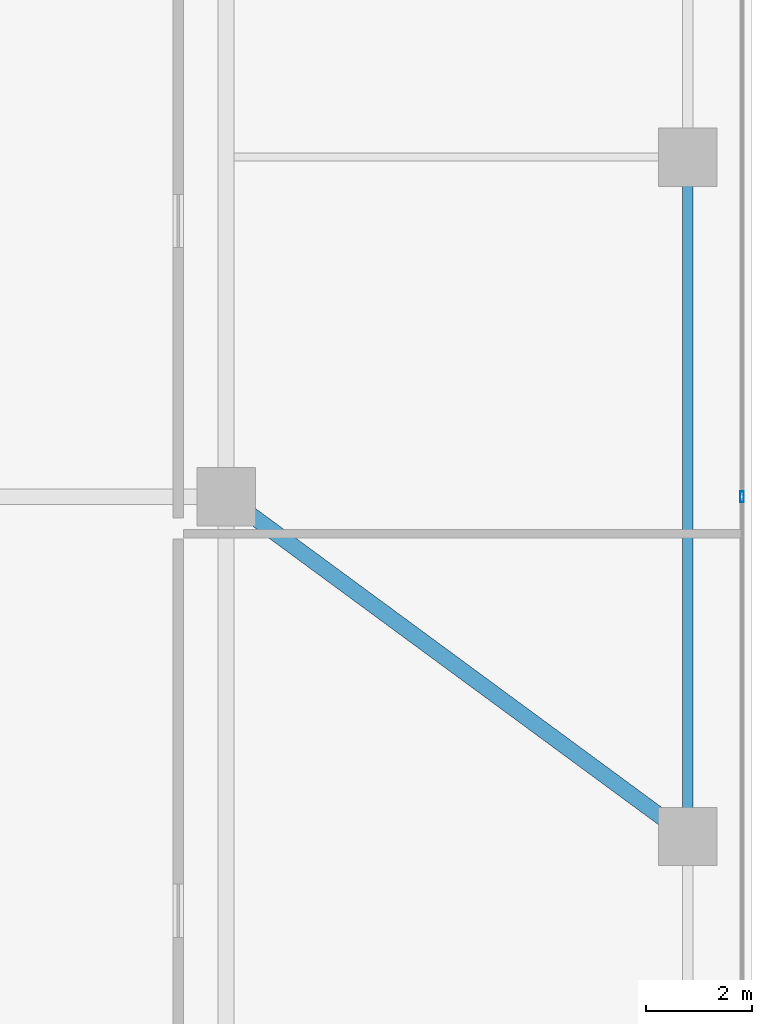
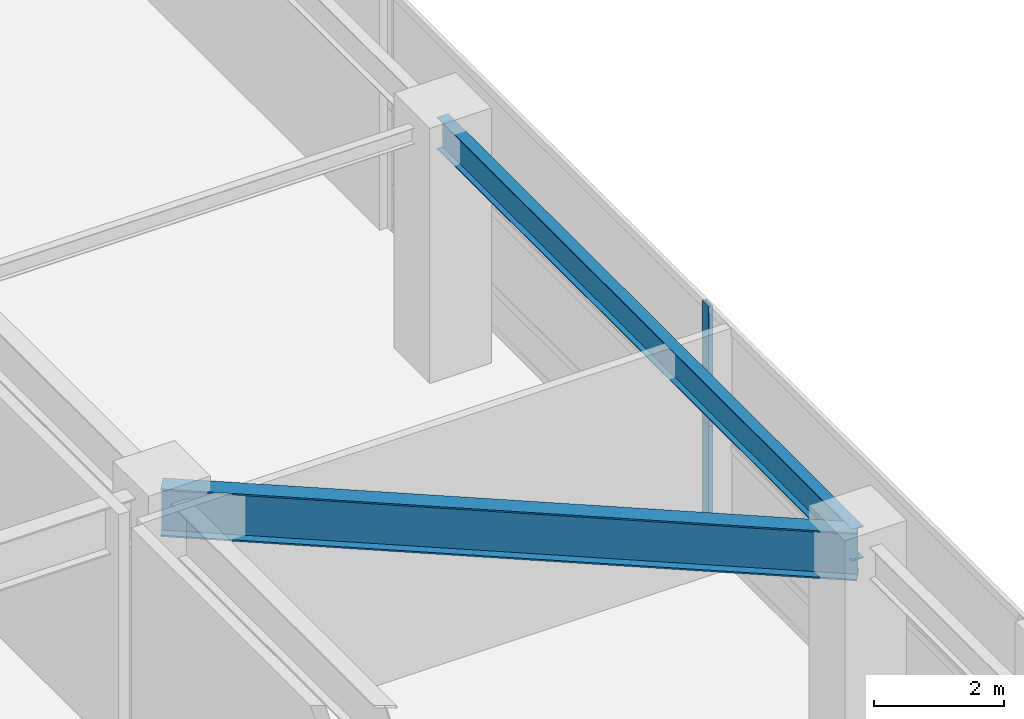
# One storey, part 29 of 39: 2 beams, 2 members, 1 element without a shape of its own.
"""IFC4 building model written with IfcOpenShell, lengths in metres."""

from ifc_helpers import new_model, si_unit, direction, frame, origin, origin_2d, place, context, subcontext, project, spatial, hollow_rectangle, i_section, extrude, source, transform, mapped, material, layer, layer_set, material_profile, profile_set, type_object, element, aggregate, save


model = new_model("IFC4")

# Units and contexts
model_context = context("Model", 3, precision=1e-05, world=origin(), true_north=direction((0.0, 1.0)))
body_context = subcontext(model_context, "Body", "Model", "MODEL_VIEW")
ifc_project = project(units=[si_unit("LENGTHUNIT", "METRE"), si_unit("AREAUNIT", "SQUARE_METRE"), si_unit("VOLUMEUNIT", "CUBIC_METRE"), si_unit("PLANEANGLEUNIT", "RADIAN"), si_unit("MASSUNIT", "GRAM", prefix="KILO"), si_unit("THERMODYNAMICTEMPERATUREUNIT", "KELVIN"), si_unit("POWERUNIT", "WATT")], contexts=[model_context])

# Site, building, storey
site_placement = place(None, origin())
site = spatial("IfcSite", under=ifc_project, at=site_placement, CompositionType="ELEMENT")
building_placement = place(site_placement, origin())
building = spatial("IfcBuilding", under=site, at=building_placement, Name="Yuzanri Waterfront Tower", CompositionType="ELEMENT")
storey_placement = place(building_placement, frame((0.0, 0.0, 15.0)))
storey = spatial("IfcBuildingStorey", under=building, at=storey_placement, Name="L04", CompositionType="ELEMENT", Elevation=15.0)

# Beams
ifc_material_1 = material(Name="Steel Q355B", Category="steel")
ifc_material_profile_1 = material_profile(ifc_material_1, i_section(OverallWidth=0.199951171875, OverallDepth=0.60009765625, WebThickness=0.010986328125, FlangeThickness=0.01708984375, at=origin_2d()), Name="HN 600x200x11x17")
ifc_profile_set_1 = profile_set([ifc_material_profile_1], Name="Steel Q355B")
beam_type_1 = type_object("IfcBeamType", Name="Perimeter Spandrel Q355B HN 600x200", PredefinedType="SPANDREL", material=ifc_profile_set_1)
shared_shape_1 = source(origin(), body_context, "Body", "SweptSolid", [
    extrude(i_section(OverallWidth=0.199951171875, OverallDepth=0.60009765625, WebThickness=0.010986328125, FlangeThickness=0.01708984375, at=origin_2d()), origin(), (0.0, 0.0, 1.0), 12.800048828125),
])
beam_1_placement = place(storey_placement, frame((70.800048828125, 19.39990234375, 4.219970703125), z_axis=(0.0, 1.0, 0.0), x_axis=(-1.0, 0.0, 0.0)))
element("IfcBeam", 1, at=beam_1_placement, inside=storey, type_object=beam_type_1, Name="L04 East Podium Spandrel 2", PredefinedType="SPANDREL", context=body_context, shape_type="MappedRepresentation", body=[
    mapped(shared_shape_1, transform((0.0, 0.0, 0.0), scale=1.0)),
])
ifc_material_2 = material(Name="Steel Q355B", Category="steel")
ifc_material_profile_2 = material_profile(ifc_material_2, i_section(OverallWidth=0.300048828125, OverallDepth=0.89990234375, WebThickness=0.01611328125, FlangeThickness=0.028076171875, at=origin_2d()), Name="HN 900x300x16x28")
ifc_profile_set_2 = profile_set([ifc_material_profile_2], Name="Steel Q355B")
beam_type_2 = type_object("IfcBeamType", Name="Primary Podium Girder Q355B HN 900x300", PredefinedType="BEAM", material=ifc_profile_set_2)
shared_shape_2 = source(origin(), body_context, "Body", "SweptSolid", [
    extrude(i_section(OverallWidth=0.300048828125, OverallDepth=0.89990234375, WebThickness=0.01611328125, FlangeThickness=0.028076171875, at=origin_2d()), origin(), (0.0, 0.0, 1.0), 10.800537109375),
])
beam_2_placement = place(storey_placement, frame((62.10009765625, 25.800048828125, 4.070068359375), z_axis=(0.805512964712, -0.592578149851, 0.0), x_axis=(0.592578149851, 0.805512964712, 0.0)))
element("IfcBeam", 2, at=beam_2_placement, inside=storey, type_object=beam_type_2, Name="L04 Podium East Girder 2", PredefinedType="BEAM", context=body_context, shape_type="MappedRepresentation", body=[
    mapped(shared_shape_2, transform((0.0, 0.0, 0.0), scale=1.0)),
])

# Curtain wall, members
ifc_material_3 = material(Name="Anodized Architectural Bronze", Category="metal")
ifc_layer = layer(ifc_material_3, 0.159912109375)
ifc_layer_set = layer_set([ifc_layer], Name="Anodized Architectural Bronze")
curtain_wall_type = type_object("IfcCurtainWallType", Name="Anodized Bronze Podium Waterfront Double-Height Unitized Curtain Wall 8400", PredefinedType="NOTDEFINED", material=ifc_layer_set)
curtain_wall_placement = place(storey_placement, origin())
curtain_wall = element("IfcCurtainWall", 3, at=curtain_wall_placement, inside=storey, type_object=curtain_wall_type, Name="L04 Curtain Wall CW-L04-E", PredefinedType="NOTDEFINED")
ifc_material_4 = material(Name="Anodized Architectural Bronze", Category="metal")
ifc_material_profile_3 = material_profile(ifc_material_4, hollow_rectangle(XDim=0.074951171875, YDim=0.199951171875, WallThickness=0.00390625, at=origin_2d()), Name="CWM 75x200")
ifc_profile_set_3 = profile_set([ifc_material_profile_3], Name="Anodized Architectural Bronze")
member_type = type_object("IfcMemberType", Name="Anodized Bronze Primary Curtain-Wall Mullion 75x200", PredefinedType="MULLION", material=ifc_profile_set_3)
shared_shape_3 = source(origin(), body_context, "Body", "SweptSolid", [
    extrude(hollow_rectangle(XDim=0.074951171875, YDim=0.199951171875, WallThickness=0.00390625, at=origin_2d()), origin(), (0.0, 0.0, 1.0), 2.258056640625),
])
member_1_placement = place(storey_placement, frame((71.820068359375, 25.800048828125, 0.0), z_axis=(0.0, 0.0, 1.0), x_axis=(1.0, 0.0, 0.0)))
member_1 = element("IfcMember", 4, at=member_1_placement, type_object=member_type, Name="CW-L04-E Lower Mullion 01", PredefinedType="MULLION", context=body_context, shape_type="MappedRepresentation", body=[
    mapped(shared_shape_3, transform((0.0, 0.0, 0.0), scale=1.0)),
])
member_2_placement = place(storey_placement, frame((71.820068359375, 25.800048828125, 2.261962890625), z_axis=(0.0, 0.0, 1.0), x_axis=(1.0, 0.0, 0.0)))
member_2 = element("IfcMember", 5, at=member_2_placement, type_object=member_type, Name="CW-L04-E Upper Mullion 01", PredefinedType="MULLION", context=body_context, shape_type="MappedRepresentation", body=[
    mapped(shared_shape_3, transform((0.0, 0.0, 0.0), scale=1.0)),
])
aggregate(curtain_wall, [member_1, member_2])

save(model, "model.ifc")
